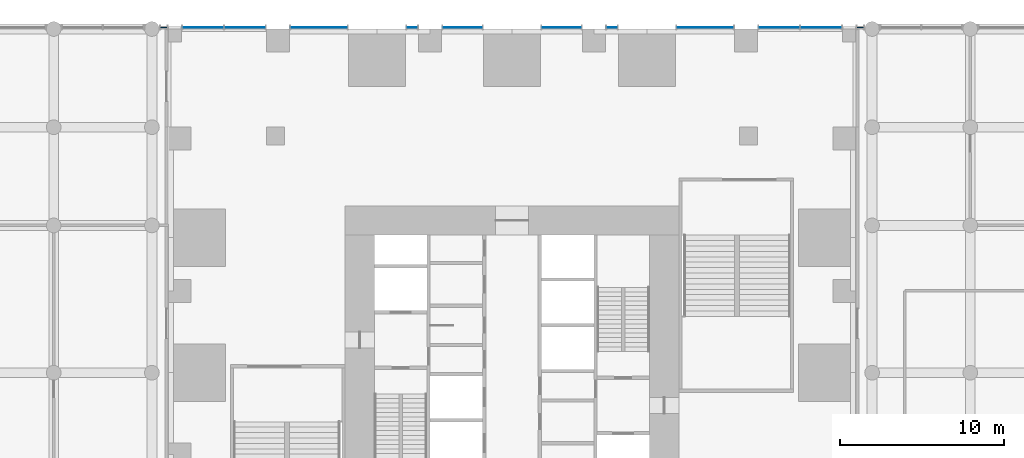
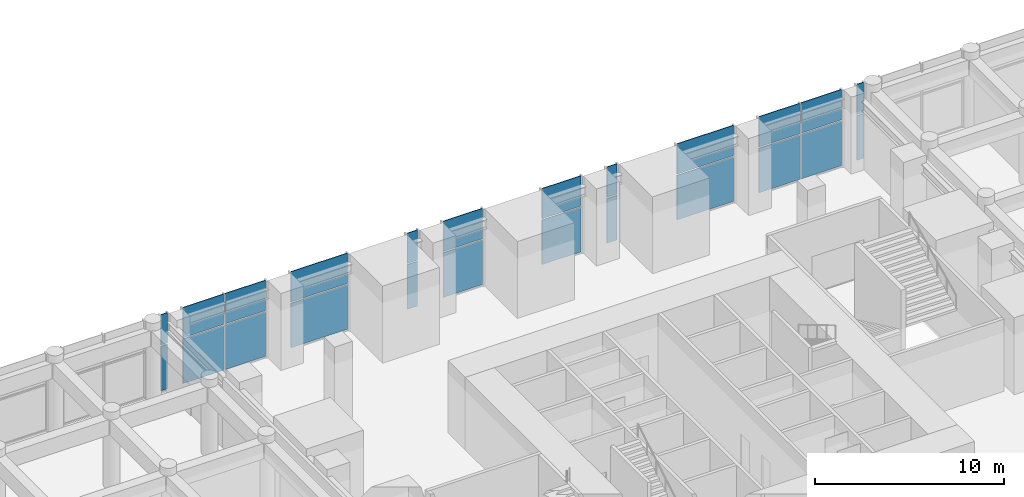
# One storey, part 14 of 23: 24 plates, 10 elements without a shape of their own.
"""IFC4 building model written with IfcOpenShell, lengths in metres."""

from ifc_helpers import new_model, si_unit, direction, frame, origin, origin_2d, place, context, subcontext, project, spatial, rectangle, extrude, material, layer, layer_set, type_object, element, aggregate, save


model = new_model("IFC4")

# Units and contexts
model_context = context("Model", 3, precision=1e-05, world=origin(), true_north=direction((0.0, 1.0)))
body_context = subcontext(model_context, "Body", "Model", "MODEL_VIEW")
ifc_project = project(units=[si_unit("LENGTHUNIT", "METRE"), si_unit("AREAUNIT", "SQUARE_METRE"), si_unit("VOLUMEUNIT", "CUBIC_METRE"), si_unit("PLANEANGLEUNIT", "RADIAN"), si_unit("MASSUNIT", "GRAM", prefix="KILO")], contexts=[model_context])

# Site, building, storey
site_placement = place(None, origin())
site = spatial("IfcSite", under=ifc_project, at=site_placement, CompositionType="ELEMENT")
building_placement = place(site_placement, origin())
building = spatial("IfcBuilding", under=site, at=building_placement, Name="Svetlomir Tower", CompositionType="ELEMENT")
storey_placement = place(building_placement, frame((0.0, 0.0, 6.0)))
storey = spatial("IfcBuildingStorey", under=building, at=storey_placement, Name="L01", CompositionType="ELEMENT", Elevation=6.0)

# Curtain wall, plates
ifc_material_1 = material(Name="Bronze anodised aluminium curtain wall", Category="aluminium")
curtain_wall_type = type_object("IfcCurtainWallType", Name="CURTAIN WALL CW5 PODIUM", PredefinedType="NOTDEFINED", material=ifc_material_1)
curtain_wall_1_placement = place(storey_placement, origin())
curtain_wall_1 = element("IfcCurtainWall", 1, at=curtain_wall_1_placement, inside=storey, type_object=curtain_wall_type, Name="Curtain wall CW5 L01", PredefinedType="NOTDEFINED")
ifc_material_2 = material(Name="Tinted double glazed unit", Category="glass")
ifc_layer = layer(ifc_material_2, 0.0400390625)
ifc_layer_set = layer_set([ifc_layer], Name="Tinted double glazed unit")
plate_type = type_object("IfcPlateType", Name="CW5 GLAZED PANEL 40", PredefinedType="CURTAIN_PANEL", material=ifc_layer_set)
plate_1_placement = place(storey_placement, frame((42.27490234375, 42.10009765625, 0.080078125), z_axis=(0.0, 0.0, 1.0), x_axis=(-1.0, 0.0, 0.0)))
plate_1 = element("IfcPlate", 2, at=plate_1_placement, type_object=plate_type, Name="CW5 panel 1.1", PredefinedType="CURTAIN_PANEL", context=body_context, shape_type="SweptSolid", body=[
    extrude(rectangle(XDim=0.389892578125, YDim=0.0400390625, at=origin_2d()), origin(), (0.0, 0.0, 1.0), 2.8798828125),
])
plate_2_placement = place(storey_placement, frame((42.27490234375, 42.10009765625, 3.0400390625), z_axis=(0.0, 0.0, 1.0), x_axis=(-1.0, 0.0, 0.0)))
plate_2 = element("IfcPlate", 3, at=plate_2_placement, type_object=plate_type, Name="CW5 panel 1.2", PredefinedType="CURTAIN_PANEL", context=body_context, shape_type="SweptSolid", body=[
    extrude(rectangle(XDim=0.389892578125, YDim=0.0400390625, at=origin_2d()), origin(), (0.0, 0.0, 1.0), 1.9599609375),
])
aggregate(curtain_wall_1, [plate_1, plate_2])

curtain_wall_2_placement = place(storey_placement, origin())
curtain_wall_2 = element("IfcCurtainWall", 4, at=curtain_wall_2_placement, inside=storey, type_object=curtain_wall_type, Name="Curtain wall CW5 L01", PredefinedType="NOTDEFINED")
plate_3_placement = place(storey_placement, frame((39.8798828125, 42.10009765625, 0.080078125), z_axis=(0.0, 0.0, 1.0), x_axis=(-1.0, 0.0, 0.0)))
plate_3 = element("IfcPlate", 5, at=plate_3_placement, type_object=plate_type, Name="CW5 panel 1.1", PredefinedType="CURTAIN_PANEL", context=body_context, shape_type="SweptSolid", body=[
    extrude(rectangle(XDim=2.47998046875, YDim=0.0400390625, at=origin_2d()), origin(), (0.0, 0.0, 1.0), 2.8798828125),
])
plate_4_placement = place(storey_placement, frame((39.8798828125, 42.10009765625, 3.0400390625), z_axis=(0.0, 0.0, 1.0), x_axis=(-1.0, 0.0, 0.0)))
plate_4 = element("IfcPlate", 6, at=plate_4_placement, type_object=plate_type, Name="CW5 panel 1.2", PredefinedType="CURTAIN_PANEL", context=body_context, shape_type="SweptSolid", body=[
    extrude(rectangle(XDim=2.47998046875, YDim=0.0400390625, at=origin_2d()), origin(), (0.0, 0.0, 1.0), 1.9599609375),
])
plate_5_placement = place(storey_placement, frame((37.320068359375, 42.10009765625, 0.080078125), z_axis=(0.0, 0.0, 1.0), x_axis=(-1.0, 0.0, 0.0)))
plate_5 = element("IfcPlate", 7, at=plate_5_placement, type_object=plate_type, Name="CW5 panel 2.1", PredefinedType="CURTAIN_PANEL", context=body_context, shape_type="SweptSolid", body=[
    extrude(rectangle(XDim=2.47998046875, YDim=0.0400390625, at=origin_2d()), origin(), (0.0, 0.0, 1.0), 2.8798828125),
])
plate_6_placement = place(storey_placement, frame((37.320068359375, 42.10009765625, 3.0400390625), z_axis=(0.0, 0.0, 1.0), x_axis=(-1.0, 0.0, 0.0)))
plate_6 = element("IfcPlate", 8, at=plate_6_placement, type_object=plate_type, Name="CW5 panel 2.2", PredefinedType="CURTAIN_PANEL", context=body_context, shape_type="SweptSolid", body=[
    extrude(rectangle(XDim=2.47998046875, YDim=0.0400390625, at=origin_2d()), origin(), (0.0, 0.0, 1.0), 1.9599609375),
])
aggregate(curtain_wall_2, [plate_3, plate_4, plate_5, plate_6])

curtain_wall_3_placement = place(storey_placement, origin())
curtain_wall_3 = element("IfcCurtainWall", 9, at=curtain_wall_3_placement, inside=storey, type_object=curtain_wall_type, Name="Curtain wall CW5 L01", PredefinedType="NOTDEFINED")
plate_7_placement = place(storey_placement, frame((32.800048828125, 42.10009765625, 0.080078125), z_axis=(0.0, 0.0, 1.0), x_axis=(-1.0, 0.0, 0.0)))
plate_7 = element("IfcPlate", 10, at=plate_7_placement, type_object=plate_type, Name="CW5 panel 1.1", PredefinedType="CURTAIN_PANEL", context=body_context, shape_type="SweptSolid", body=[
    extrude(rectangle(XDim=3.43994140625, YDim=0.0400390625, at=origin_2d()), origin(), (0.0, 0.0, 1.0), 2.8798828125),
])
plate_8_placement = place(storey_placement, frame((32.800048828125, 42.10009765625, 3.0400390625), z_axis=(0.0, 0.0, 1.0), x_axis=(-1.0, 0.0, 0.0)))
plate_8 = element("IfcPlate", 11, at=plate_8_placement, type_object=plate_type, Name="CW5 panel 1.2", PredefinedType="CURTAIN_PANEL", context=body_context, shape_type="SweptSolid", body=[
    extrude(rectangle(XDim=3.43994140625, YDim=0.0400390625, at=origin_2d()), origin(), (0.0, 0.0, 1.0), 1.9599609375),
])
aggregate(curtain_wall_3, [plate_7, plate_8])

curtain_wall_4_placement = place(storey_placement, origin())
curtain_wall_4 = element("IfcCurtainWall", 12, at=curtain_wall_4_placement, inside=storey, type_object=curtain_wall_type, Name="Curtain wall CW5 L01", PredefinedType="NOTDEFINED")
plate_9_placement = place(storey_placement, frame((27.10009765625, 42.10009765625, 0.080078125), z_axis=(0.0, 0.0, 1.0), x_axis=(-1.0, 0.0, 0.0)))
plate_9 = element("IfcPlate", 13, at=plate_9_placement, type_object=plate_type, Name="CW5 panel 1.1", PredefinedType="CURTAIN_PANEL", context=body_context, shape_type="SweptSolid", body=[
    extrude(rectangle(XDim=0.639892578125, YDim=0.0400390625, at=origin_2d()), origin(), (0.0, 0.0, 1.0), 2.8798828125),
])
plate_10_placement = place(storey_placement, frame((27.10009765625, 42.10009765625, 3.0400390625), z_axis=(0.0, 0.0, 1.0), x_axis=(-1.0, 0.0, 0.0)))
plate_10 = element("IfcPlate", 14, at=plate_10_placement, type_object=plate_type, Name="CW5 panel 1.2", PredefinedType="CURTAIN_PANEL", context=body_context, shape_type="SweptSolid", body=[
    extrude(rectangle(XDim=0.639892578125, YDim=0.0400390625, at=origin_2d()), origin(), (0.0, 0.0, 1.0), 1.9599609375),
])
aggregate(curtain_wall_4, [plate_9, plate_10])

curtain_wall_5_placement = place(storey_placement, origin())
curtain_wall_5 = element("IfcCurtainWall", 15, at=curtain_wall_5_placement, inside=storey, type_object=curtain_wall_type, Name="Curtain wall CW5 L01", PredefinedType="NOTDEFINED")
plate_11_placement = place(storey_placement, frame((24.02490234375, 42.10009765625, 0.080078125), z_axis=(0.0, 0.0, 1.0), x_axis=(-1.0, 0.0, 0.0)))
plate_11 = element("IfcPlate", 16, at=plate_11_placement, type_object=plate_type, Name="CW5 panel 1.1", PredefinedType="CURTAIN_PANEL", context=body_context, shape_type="SweptSolid", body=[
    extrude(rectangle(XDim=2.389892578125, YDim=0.0400390625, at=origin_2d()), origin(), (0.0, 0.0, 1.0), 2.8798828125),
])
plate_12_placement = place(storey_placement, frame((24.02490234375, 42.10009765625, 3.0400390625), z_axis=(0.0, 0.0, 1.0), x_axis=(-1.0, 0.0, 0.0)))
plate_12 = element("IfcPlate", 17, at=plate_12_placement, type_object=plate_type, Name="CW5 panel 1.2", PredefinedType="CURTAIN_PANEL", context=body_context, shape_type="SweptSolid", body=[
    extrude(rectangle(XDim=2.389892578125, YDim=0.0400390625, at=origin_2d()), origin(), (0.0, 0.0, 1.0), 1.9599609375),
])
aggregate(curtain_wall_5, [plate_11, plate_12])

curtain_wall_6_placement = place(storey_placement, origin())
curtain_wall_6 = element("IfcCurtainWall", 18, at=curtain_wall_6_placement, inside=storey, type_object=curtain_wall_type, Name="Curtain wall CW5 L01", PredefinedType="NOTDEFINED")
plate_13_placement = place(storey_placement, frame((17.97509765625, 42.10009765625, 0.080078125), z_axis=(0.0, 0.0, 1.0), x_axis=(-1.0, 0.0, 0.0)))
plate_13 = element("IfcPlate", 19, at=plate_13_placement, type_object=plate_type, Name="CW5 panel 1.1", PredefinedType="CURTAIN_PANEL", context=body_context, shape_type="SweptSolid", body=[
    extrude(rectangle(XDim=2.389892578125, YDim=0.0400390625, at=origin_2d()), origin(), (0.0, 0.0, 1.0), 2.8798828125),
])
plate_14_placement = place(storey_placement, frame((17.97509765625, 42.10009765625, 3.0400390625), z_axis=(0.0, 0.0, 1.0), x_axis=(-1.0, 0.0, 0.0)))
plate_14 = element("IfcPlate", 20, at=plate_14_placement, type_object=plate_type, Name="CW5 panel 1.2", PredefinedType="CURTAIN_PANEL", context=body_context, shape_type="SweptSolid", body=[
    extrude(rectangle(XDim=2.389892578125, YDim=0.0400390625, at=origin_2d()), origin(), (0.0, 0.0, 1.0), 1.9599609375),
])
aggregate(curtain_wall_6, [plate_13, plate_14])

curtain_wall_7_placement = place(storey_placement, origin())
curtain_wall_7 = element("IfcCurtainWall", 21, at=curtain_wall_7_placement, inside=storey, type_object=curtain_wall_type, Name="Curtain wall CW5 L01", PredefinedType="NOTDEFINED")
plate_15_placement = place(storey_placement, frame((14.89990234375, 42.10009765625, 0.080078125), z_axis=(0.0, 0.0, 1.0), x_axis=(-1.0, 0.0, 0.0)))
plate_15 = element("IfcPlate", 22, at=plate_15_placement, type_object=plate_type, Name="CW5 panel 1.1", PredefinedType="CURTAIN_PANEL", context=body_context, shape_type="SweptSolid", body=[
    extrude(rectangle(XDim=0.639892578125, YDim=0.0400390625, at=origin_2d()), origin(), (0.0, 0.0, 1.0), 2.8798828125),
])
plate_16_placement = place(storey_placement, frame((14.89990234375, 42.10009765625, 3.0400390625), z_axis=(0.0, 0.0, 1.0), x_axis=(-1.0, 0.0, 0.0)))
plate_16 = element("IfcPlate", 23, at=plate_16_placement, type_object=plate_type, Name="CW5 panel 1.2", PredefinedType="CURTAIN_PANEL", context=body_context, shape_type="SweptSolid", body=[
    extrude(rectangle(XDim=0.639892578125, YDim=0.0400390625, at=origin_2d()), origin(), (0.0, 0.0, 1.0), 1.9599609375),
])
aggregate(curtain_wall_7, [plate_15, plate_16])

curtain_wall_8_placement = place(storey_placement, origin())
curtain_wall_8 = element("IfcCurtainWall", 24, at=curtain_wall_8_placement, inside=storey, type_object=curtain_wall_type, Name="Curtain wall CW5 L01", PredefinedType="NOTDEFINED")
plate_17_placement = place(storey_placement, frame((9.199951171875, 42.10009765625, 0.080078125), z_axis=(0.0, 0.0, 1.0), x_axis=(-1.0, 0.0, 0.0)))
plate_17 = element("IfcPlate", 25, at=plate_17_placement, type_object=plate_type, Name="CW5 panel 1.1", PredefinedType="CURTAIN_PANEL", context=body_context, shape_type="SweptSolid", body=[
    extrude(rectangle(XDim=3.43994140625, YDim=0.0400390625, at=origin_2d()), origin(), (0.0, 0.0, 1.0), 2.8798828125),
])
plate_18_placement = place(storey_placement, frame((9.199951171875, 42.10009765625, 3.0400390625), z_axis=(0.0, 0.0, 1.0), x_axis=(-1.0, 0.0, 0.0)))
plate_18 = element("IfcPlate", 26, at=plate_18_placement, type_object=plate_type, Name="CW5 panel 1.2", PredefinedType="CURTAIN_PANEL", context=body_context, shape_type="SweptSolid", body=[
    extrude(rectangle(XDim=3.43994140625, YDim=0.0400390625, at=origin_2d()), origin(), (0.0, 0.0, 1.0), 1.9599609375),
])
aggregate(curtain_wall_8, [plate_17, plate_18])

curtain_wall_9_placement = place(storey_placement, origin())
curtain_wall_9 = element("IfcCurtainWall", 27, at=curtain_wall_9_placement, inside=storey, type_object=curtain_wall_type, Name="Curtain wall CW5 L01", PredefinedType="NOTDEFINED")
plate_19_placement = place(storey_placement, frame((4.679931640625, 42.10009765625, 0.080078125), z_axis=(0.0, 0.0, 1.0), x_axis=(-1.0, 0.0, 0.0)))
plate_19 = element("IfcPlate", 28, at=plate_19_placement, type_object=plate_type, Name="CW5 panel 1.1", PredefinedType="CURTAIN_PANEL", context=body_context, shape_type="SweptSolid", body=[
    extrude(rectangle(XDim=2.47998046875, YDim=0.0400390625, at=origin_2d()), origin(), (0.0, 0.0, 1.0), 2.8798828125),
])
plate_20_placement = place(storey_placement, frame((4.679931640625, 42.10009765625, 3.0400390625), z_axis=(0.0, 0.0, 1.0), x_axis=(-1.0, 0.0, 0.0)))
plate_20 = element("IfcPlate", 29, at=plate_20_placement, type_object=plate_type, Name="CW5 panel 1.2", PredefinedType="CURTAIN_PANEL", context=body_context, shape_type="SweptSolid", body=[
    extrude(rectangle(XDim=2.47998046875, YDim=0.0400390625, at=origin_2d()), origin(), (0.0, 0.0, 1.0), 1.9599609375),
])
plate_21_placement = place(storey_placement, frame((2.1201171875, 42.10009765625, 0.080078125), z_axis=(0.0, 0.0, 1.0), x_axis=(-1.0, 0.0, 0.0)))
plate_21 = element("IfcPlate", 30, at=plate_21_placement, type_object=plate_type, Name="CW5 panel 2.1", PredefinedType="CURTAIN_PANEL", context=body_context, shape_type="SweptSolid", body=[
    extrude(rectangle(XDim=2.47998046875, YDim=0.0400390625, at=origin_2d()), origin(), (0.0, 0.0, 1.0), 2.8798828125),
])
plate_22_placement = place(storey_placement, frame((2.1201171875, 42.10009765625, 3.0400390625), z_axis=(0.0, 0.0, 1.0), x_axis=(-1.0, 0.0, 0.0)))
plate_22 = element("IfcPlate", 31, at=plate_22_placement, type_object=plate_type, Name="CW5 panel 2.2", PredefinedType="CURTAIN_PANEL", context=body_context, shape_type="SweptSolid", body=[
    extrude(rectangle(XDim=2.47998046875, YDim=0.0400390625, at=origin_2d()), origin(), (0.0, 0.0, 1.0), 1.9599609375),
])
aggregate(curtain_wall_9, [plate_19, plate_20, plate_21, plate_22])

curtain_wall_10_placement = place(storey_placement, origin())
curtain_wall_10 = element("IfcCurtainWall", 32, at=curtain_wall_10_placement, inside=storey, type_object=curtain_wall_type, Name="Curtain wall CW5 L01", PredefinedType="NOTDEFINED")
plate_23_placement = place(storey_placement, frame((-0.27490234375, 42.10009765625, 0.080078125), z_axis=(0.0, 0.0, 1.0), x_axis=(-1.0, 0.0, 0.0)))
plate_23 = element("IfcPlate", 33, at=plate_23_placement, type_object=plate_type, Name="CW5 panel 1.1", PredefinedType="CURTAIN_PANEL", context=body_context, shape_type="SweptSolid", body=[
    extrude(rectangle(XDim=0.389892578125, YDim=0.0400390625, at=origin_2d()), origin(), (0.0, 0.0, 1.0), 2.8798828125),
])
plate_24_placement = place(storey_placement, frame((-0.27490234375, 42.10009765625, 3.0400390625), z_axis=(0.0, 0.0, 1.0), x_axis=(-1.0, 0.0, 0.0)))
plate_24 = element("IfcPlate", 34, at=plate_24_placement, type_object=plate_type, Name="CW5 panel 1.2", PredefinedType="CURTAIN_PANEL", context=body_context, shape_type="SweptSolid", body=[
    extrude(rectangle(XDim=0.389892578125, YDim=0.0400390625, at=origin_2d()), origin(), (0.0, 0.0, 1.0), 1.9599609375),
])
aggregate(curtain_wall_10, [plate_23, plate_24])

save(model, "model.ifc")
